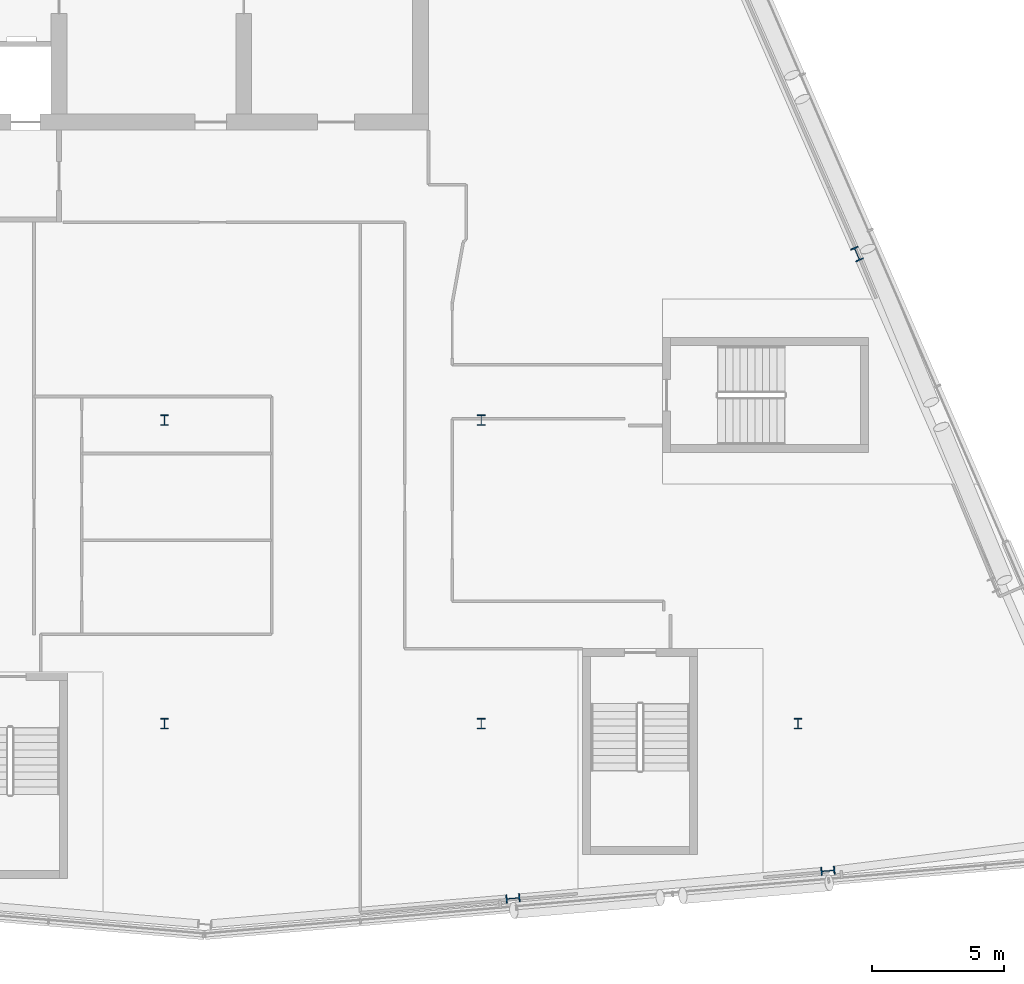
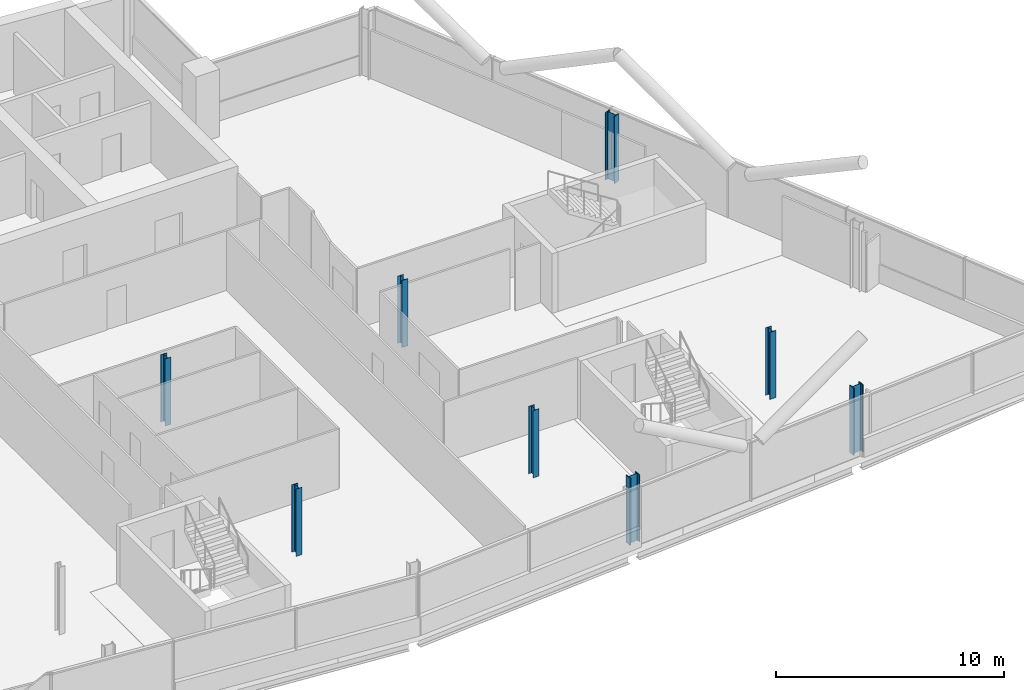
# One storey, part 2 of 26: 8 columns.
"""IFC4 building model written with IfcOpenShell, lengths in metres."""

from ifc_helpers import new_model, si_unit, direction, frame, origin, origin_2d, place, context, subcontext, project, spatial, i_section, extrude, material, material_profile, profile_set, type_object, element, save


model = new_model("IFC4")

# Units and contexts
model_context = context("Model", 3, precision=1e-05, world=origin(), true_north=direction((0.0, 1.0)))
body_context = subcontext(model_context, "Body", "Model", "MODEL_VIEW")
ifc_project = project(units=[si_unit("LENGTHUNIT", "METRE"), si_unit("AREAUNIT", "SQUARE_METRE"), si_unit("VOLUMEUNIT", "CUBIC_METRE"), si_unit("PLANEANGLEUNIT", "RADIAN"), si_unit("MASSUNIT", "GRAM", prefix="KILO")], contexts=[model_context])

# Site, building, storey
site_placement = place(None, origin())
site = spatial("IfcSite", under=ifc_project, at=site_placement, CompositionType="ELEMENT")
building_placement = place(site_placement, origin())
building = spatial("IfcBuilding", under=site, at=building_placement, Name="Wharfspan Tower", CompositionType="ELEMENT")
storey_placement = place(building_placement, frame((0.0, 0.0, 235.899902)))
storey = spatial("IfcBuildingStorey", under=building, at=storey_placement, Name="L59", CompositionType="ELEMENT", Elevation=235.899902)

# Columns
ifc_material = material(Name="Steel S355J2", Category="steel")
ifc_material_profile_1 = material_profile(ifc_material, i_section(OverallWidth=0.300049, OverallDepth=0.399902, WebThickness=0.013428, FlangeThickness=0.023926, FilletRadius=0.0271, at=origin_2d()))
ifc_profile_set_1 = profile_set([ifc_material_profile_1], Name="Steel S355J2")
column_type_1 = type_object("IfcColumnType", Name="Column HEB 400", PredefinedType="COLUMN", material=ifc_profile_set_1)
for number, where, z_axis, x_axis, name in (
    (1, (48.0, 11.5, 0.0), (0.0, 0.0, 1.0), (1.0, 0.0, 0.0), "Interior column I.1.3 L59"),
    (2, (60.0, 11.5, 0.0), (0.0, 0.0, 1.0), (1.0, 0.0, 0.0), "Interior column I.1.4 L59"),
    (3, (72.0, 11.5, 0.0), (0.0, 0.0, 1.0), (1.0, 0.0, 0.0), "Interior column I.1.5 L59"),
    (4, (48.0, 23.0, 0.0), (0.0, 0.0, 1.0), (1.0, 0.0, 0.0), "Interior column I.2.3 L59"),
    (5, (60.0, 23.0, 0.0), (0.0, 0.0, 1.0), (1.0, 0.0, 0.0), "Interior column I.2.4 L59"),
):
    element("IfcColumn", number, at=place(storey_placement, frame(where, z_axis=z_axis, x_axis=x_axis)), inside=storey, type_object=column_type_1, Name=name, PredefinedType="COLUMN", context=body_context, shape_type="SweptSolid", body=[
        extrude(i_section(OverallWidth=0.300049, OverallDepth=0.399902, WebThickness=0.013428, FlangeThickness=0.023926, FilletRadius=0.0271, at=origin_2d()), origin(), (0.0, 0.0, 1.0), 3.600098),
    ])
ifc_material_profile_2 = material_profile(ifc_material, i_section(OverallWidth=0.305908, OverallDepth=0.523926, WebThickness=0.020996, FlangeThickness=0.040039, FilletRadius=0.0271, at=origin_2d()))
ifc_profile_set_2 = profile_set([ifc_material_profile_2], Name="Steel S355J2")
column_type_2 = type_object("IfcColumnType", Name="Column HEM 500", PredefinedType="COLUMN", material=ifc_profile_set_2)
for number, where, z_axis, x_axis, name in (
    (6, (61.202393, 4.879395, 0.0), (0.0, 0.0, 1.0), (0.087156, -0.996197, 0.0), "Perimeter column PS2.1 L59"),
    (7, (73.135254, 5.92334, 0.0), (0.0, 0.0, 1.0), (0.087156, -0.996197, 0.0), "Perimeter column PS2.2 L59"),
    (8, (74.235352, 29.294922, 0.0), (0.0, 0.0, 1.0), (0.917072, 0.398727, 0.0), "Perimeter column PE.2 L59"),
):
    element("IfcColumn", number, at=place(storey_placement, frame(where, z_axis=z_axis, x_axis=x_axis)), inside=storey, type_object=column_type_2, Name=name, PredefinedType="COLUMN", context=body_context, shape_type="SweptSolid", body=[
        extrude(i_section(OverallWidth=0.305908, OverallDepth=0.523926, WebThickness=0.020996, FlangeThickness=0.040039, FilletRadius=0.0271, at=origin_2d()), origin(), (0.0, 0.0, 1.0), 3.600098),
    ])

save(model, "model.ifc")
